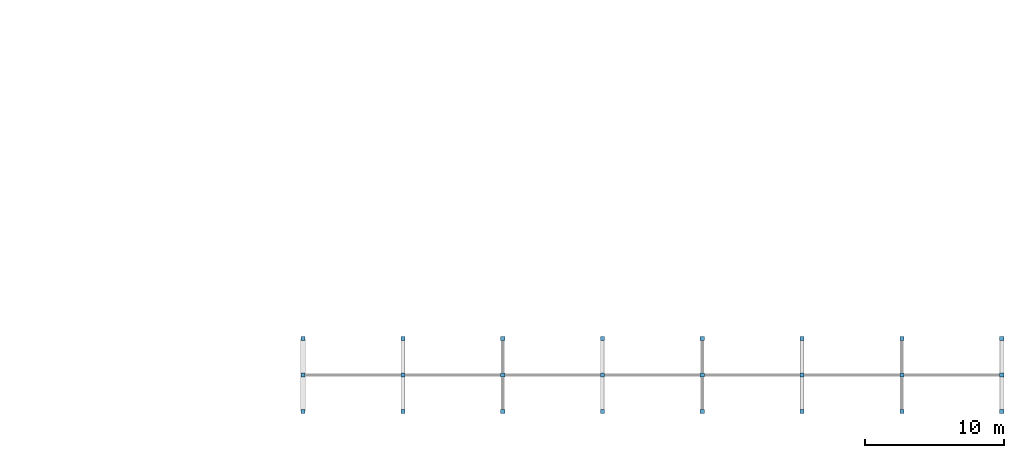
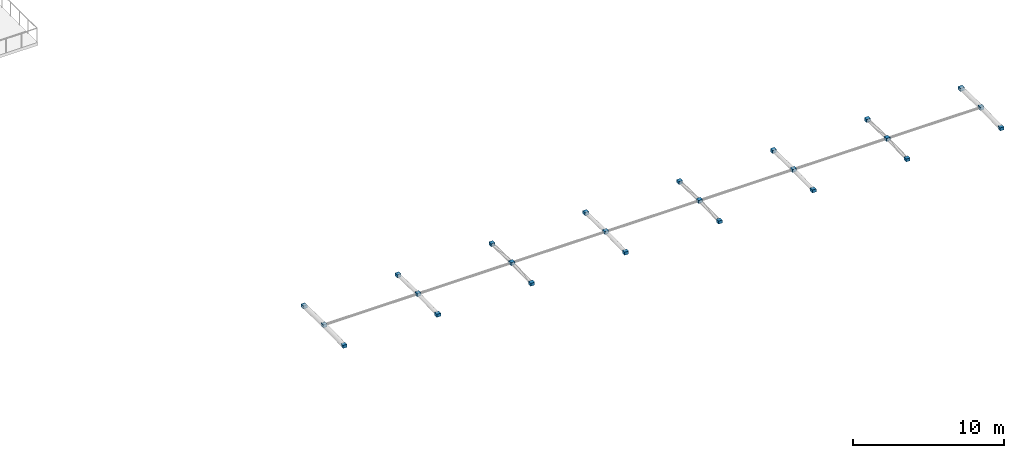
# One storey, part 3 of 14: 24 plates.
"""IFC4 building model written with IfcOpenShell, lengths in metres."""

from ifc_helpers import new_model, si_unit, direction, frame, origin, origin_2d, place, context, subcontext, project, spatial, rectangle, extrude, material, layer, layer_set, type_object, element, save


model = new_model("IFC4")

# Units and contexts
model_context = context("Model", 3, precision=1e-05, world=origin(), true_north=direction((0.0, 1.0)))
body_context = subcontext(model_context, "Body", "Model", "MODEL_VIEW")
ifc_project = project(units=[si_unit("LENGTHUNIT", "METRE"), si_unit("AREAUNIT", "SQUARE_METRE"), si_unit("VOLUMEUNIT", "CUBIC_METRE"), si_unit("PLANEANGLEUNIT", "RADIAN"), si_unit("MASSUNIT", "GRAM", prefix="KILO")], contexts=[model_context])

# Site, building, storey
site_placement = place(None, origin())
site = spatial("IfcSite", under=ifc_project, at=site_placement, CompositionType="ELEMENT")
building_placement = place(site_placement, origin())
building = spatial("IfcBuilding", under=site, at=building_placement, Name="Malvenik Polytechnic", CompositionType="ELEMENT")
storey_placement = place(building_placement, frame((0.0, 0.0, 21.89990234375)))
storey = spatial("IfcBuildingStorey", under=building, at=storey_placement, Name="L05", CompositionType="ELEMENT", Elevation=21.89990234375)

# Plates
ifc_material = material(Name="Steel S355J2H", Category="steel")
ifc_layer = layer(ifc_material, 0.034912109375)
ifc_layer_set = layer_set([ifc_layer], Name="Steel S355J2H")
plate_type = type_object("IfcPlateType", Name="STR-PLT-NP-02", PredefinedType="USERDEFINED", material=ifc_layer_set)
for number, where, z_axis, x_axis, name in (
    (1, (134.39990234375, 62.163330078125, -0.0556640625), (0.0, 0.0, 1.0), (1.0, 0.0, 0.0), "Space-Frame Top Node Plate #24"),
    (2, (134.39990234375, 64.800048828125, 0.0087890625), (0.0, 0.0, 1.0), (1.0, 0.0, 0.0), "Space-Frame Top Node Plate #26"),
    (3, (134.39990234375, 67.436767578125, -0.0556640625), (0.0, 0.0, 1.0), (1.0, 0.0, 0.0), "Space-Frame Top Node Plate #28"),
    (4, (141.60009765625, 62.163330078125, -0.0556640625), (0.0, 0.0, 1.0), (1.0, 0.0, 0.0), "Space-Frame Top Node Plate #74"),
    (5, (141.60009765625, 64.800048828125, 0.0087890625), (0.0, 0.0, 1.0), (1.0, 0.0, 0.0), "Space-Frame Top Node Plate #76"),
    (6, (141.60009765625, 67.436767578125, -0.0556640625), (0.0, 0.0, 1.0), (1.0, 0.0, 0.0), "Space-Frame Top Node Plate #78"),
    (7, (148.800048828125, 62.163330078125, -0.0556640625), (0.0, 0.0, 1.0), (1.0, 0.0, 0.0), "Space-Frame Top Node Plate #124"),
    (8, (148.800048828125, 64.800048828125, 0.0087890625), (0.0, 0.0, 1.0), (1.0, 0.0, 0.0), "Space-Frame Top Node Plate #126"),
    (9, (148.800048828125, 67.436767578125, -0.0556640625), (0.0, 0.0, 1.0), (1.0, 0.0, 0.0), "Space-Frame Top Node Plate #128"),
    (10, (156.0, 62.163330078125, -0.0556640625), (0.0, 0.0, 1.0), (1.0, 0.0, 0.0), "Space-Frame Top Node Plate #174"),
    (11, (156.0, 64.800048828125, 0.0087890625), (0.0, 0.0, 1.0), (1.0, 0.0, 0.0), "Space-Frame Top Node Plate #176"),
    (12, (156.0, 67.436767578125, -0.0556640625), (0.0, 0.0, 1.0), (1.0, 0.0, 0.0), "Space-Frame Top Node Plate #178"),
    (13, (163.199951171875, 62.163330078125, -0.0556640625), (0.0, 0.0, 1.0), (1.0, 0.0, 0.0), "Space-Frame Top Node Plate #224"),
    (14, (163.199951171875, 64.800048828125, 0.0087890625), (0.0, 0.0, 1.0), (1.0, 0.0, 0.0), "Space-Frame Top Node Plate #226"),
    (15, (163.199951171875, 67.436767578125, -0.0556640625), (0.0, 0.0, 1.0), (1.0, 0.0, 0.0), "Space-Frame Top Node Plate #228"),
    (16, (170.39990234375, 62.163330078125, -0.0556640625), (0.0, 0.0, 1.0), (1.0, 0.0, 0.0), "Space-Frame Top Node Plate #274"),
    (17, (170.39990234375, 64.800048828125, 0.0087890625), (0.0, 0.0, 1.0), (1.0, 0.0, 0.0), "Space-Frame Top Node Plate #276"),
    (18, (170.39990234375, 67.436767578125, -0.0556640625), (0.0, 0.0, 1.0), (1.0, 0.0, 0.0), "Space-Frame Top Node Plate #278"),
    (19, (177.60009765625, 62.163330078125, -0.0556640625), (0.0, 0.0, 1.0), (1.0, 0.0, 0.0), "Space-Frame Top Node Plate #324"),
    (20, (177.60009765625, 64.800048828125, 0.0087890625), (0.0, 0.0, 1.0), (1.0, 0.0, 0.0), "Space-Frame Top Node Plate #326"),
    (21, (177.60009765625, 67.436767578125, -0.0556640625), (0.0, 0.0, 1.0), (1.0, 0.0, 0.0), "Space-Frame Top Node Plate #328"),
    (22, (184.800048828125, 62.163330078125, -0.0556640625), (0.0, 0.0, 1.0), (1.0, 0.0, 0.0), "Space-Frame Top Node Plate #374"),
    (23, (184.800048828125, 64.800048828125, 0.0087890625), (0.0, 0.0, 1.0), (1.0, 0.0, 0.0), "Space-Frame Top Node Plate #376"),
    (24, (184.800048828125, 67.436767578125, -0.0556640625), (0.0, 0.0, 1.0), (1.0, 0.0, 0.0), "Space-Frame Top Node Plate #378"),
):
    element("IfcPlate", number, at=place(storey_placement, frame(where, z_axis=z_axis, x_axis=x_axis)), inside=storey, type_object=plate_type, Name=name, ObjectType="GUSSET PLATE", PredefinedType="USERDEFINED", context=body_context, shape_type="SweptSolid", body=[
        extrude(rectangle(XDim=0.300048828125, YDim=0.300048828125, at=origin_2d()), origin(), (0.0, 0.0, 1.0), 0.239990234375),
    ])

save(model, "model.ifc")
